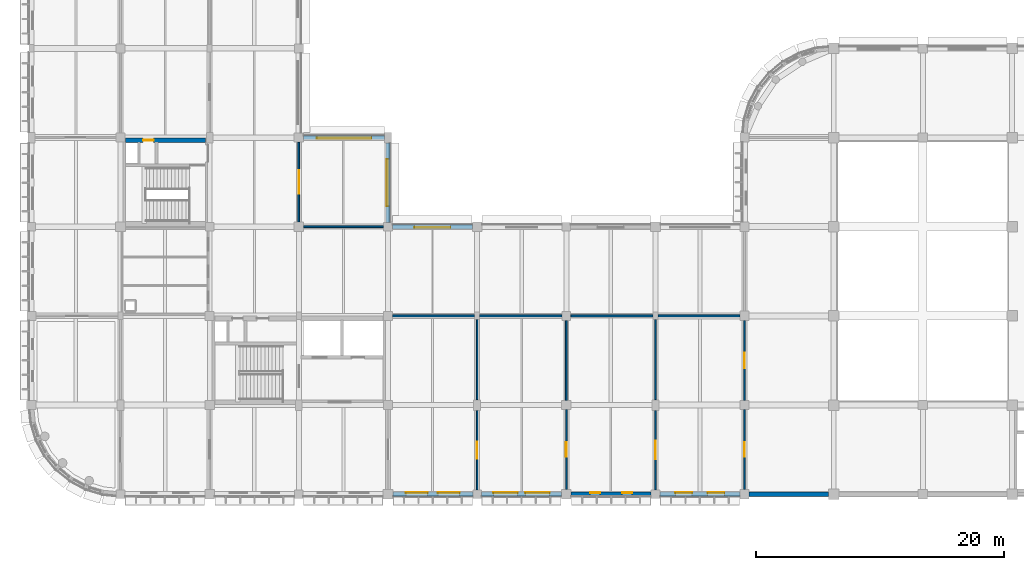
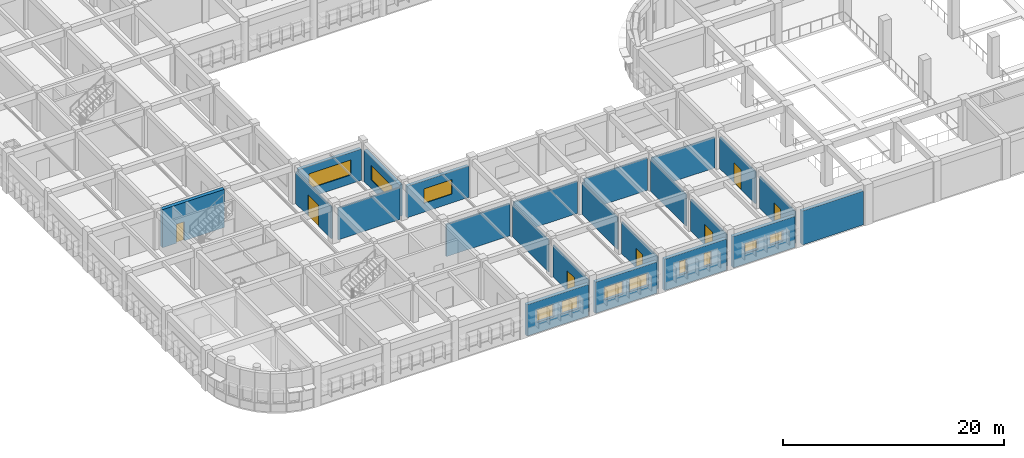
# One storey, part 36 of 61: 23 walls, 11 windows, 7 doors, 18 openings.
"""IFC4 building model written with IfcOpenShell, lengths in metres."""

from ifc_helpers import new_model, si_unit, direction, frame, frame_2d, origin, place, context, subcontext, project, spatial, rectangle, extrude, material, layer, layer_set, type_object, element, fill, save


model = new_model("IFC4")

# Units and contexts
model_context = context("Model", 3, precision=1e-05, world=origin(), true_north=direction((0.0, 1.0)))
body_context = subcontext(model_context, "Body", "Model", "MODEL_VIEW")
ifc_project = project(units=[si_unit("LENGTHUNIT", "METRE"), si_unit("AREAUNIT", "SQUARE_METRE"), si_unit("VOLUMEUNIT", "CUBIC_METRE"), si_unit("PLANEANGLEUNIT", "RADIAN"), si_unit("MASSUNIT", "GRAM", prefix="KILO")], contexts=[model_context])

# Site, building, storey
site_placement = place(None, origin())
site = spatial("IfcSite", under=ifc_project, at=site_placement, CompositionType="ELEMENT")
building_placement = place(site_placement, origin())
building = spatial("IfcBuilding", under=site, at=building_placement, Name="Thalmaran Polytechnic", CompositionType="ELEMENT")
storey_placement = place(building_placement, frame((0.0, 0.0, 9.89990234375)))
storey = spatial("IfcBuildingStorey", under=building, at=storey_placement, Name="L02", CompositionType="ELEMENT", Elevation=9.89990234375)

# Wall
ifc_material_1 = material(Name="Precast concrete C40/50", Category="concrete")
ifc_layer_1 = layer(ifc_material_1, 0.360107421875, Name="Precast concrete C40/50")
ifc_layer_set_1 = layer_set([ifc_layer_1], Name="Precast concrete C40/50")
wall_type_1 = type_object("IfcWallType", Name="WL-EW01", PredefinedType="STANDARD", material=ifc_layer_set_1)
wall_1_placement = place(storey_placement, frame((64.375, 0.0, 0.0), z_axis=(0.0, 0.0, 1.0), x_axis=(-1.0, 0.0, 0.0)))
element("IfcWall", 1, at=wall_1_placement, inside=storey, type_object=wall_type_1, Name="Exterior Precast Facade Wall L02-084", PredefinedType="STANDARD", context=body_context, shape_type="SweptSolid", body=[
    extrude(rectangle(XDim=6.39990234375, YDim=0.360107421875, at=frame_2d((3.199951171875, 0.0))), origin(), (0.0, 0.0, 1.0), 3.7451171875),
])

# Wall, openings, windows
wall_2_placement = place(storey_placement, frame((57.22509765625, 0.0, 0.0), z_axis=(0.0, 0.0, 1.0), x_axis=(-1.0, 0.0, 0.0)))
wall_2 = element("IfcWall", 2, at=wall_2_placement, inside=storey, type_object=wall_type_1, Name="Exterior Precast Facade Wall L02-085", PredefinedType="STANDARD", context=body_context, shape_type="SweptSolid", body=[
    extrude(rectangle(XDim=6.47509765625, YDim=0.360107421875, at=frame_2d((3.237548828125, 0.0))), origin(), (0.0, 0.0, 1.0), 3.460205078125),
])
opening_1_placement = place(wall_2_placement, frame((1.267578125, 0.0, 1.14990234375)))
opening_1 = element("IfcOpeningElement", 3, at=opening_1_placement, cuts=wall_2, Name="Opening PW15", PredefinedType="OPENING", context=body_context, shape_type="SweptSolid", body=[
    extrude(rectangle(XDim=1.35009765625, YDim=1.10009765625, at=frame_2d((0.675048828125, 0.550048828125))), frame((0.0, 0.18994140625, 0.0), z_axis=(0.0, -1.0, 0.0), x_axis=(1.0, 0.0, 0.0)), (0.0, 0.0, 1.0), 0.380126953125),
])
opening_2_placement = place(wall_2_placement, frame((3.857421875, 0.0, 1.14990234375)))
opening_2 = element("IfcOpeningElement", 4, at=opening_2_placement, cuts=wall_2, Name="Opening PW15", PredefinedType="OPENING", context=body_context, shape_type="SweptSolid", body=[
    extrude(rectangle(XDim=1.35009765625, YDim=1.10009765625, at=frame_2d((0.675048828125, 0.550048828125))), frame((0.0, 0.18994140625, 0.0), z_axis=(0.0, -1.0, 0.0), x_axis=(1.0, 0.0, 0.0)), (0.0, 0.0, 1.0), 0.380126953125),
])
ifc_material_2 = material(Name="Thermally broken aluminium and double low-E glass", Category="aluminium")
window_type_1 = type_object("IfcWindowType", Name="WN-PW05", PartitioningType="SINGLE_PANEL", PredefinedType="WINDOW", material=ifc_material_2)
window_1_placement = place(opening_1_placement, origin())
window_1 = element("IfcWindow", 5, at=window_1_placement, inside=storey, type_object=window_type_1, Name="Deep-Set Solar-Screened Window W-0278", OverallHeight=1.10009765625, OverallWidth=1.35009765625, PartitioningType="SINGLE_PANEL", PredefinedType="WINDOW", context=body_context, shape_type="SweptSolid", body=[
    extrude(rectangle(XDim=1.35009765625, YDim=1.10009765625, at=frame_2d((0.675048828125, 0.550048828125))), frame((0.0, -0.080078125, 0.0), z_axis=(0.0, -1.0, 0.0), x_axis=(1.0, 0.0, 0.0)), (0.0, 0.0, 1.0), 0.06005859375),
])
fill(opening_1, window_1)
window_2_placement = place(opening_2_placement, origin())
window_2 = element("IfcWindow", 6, at=window_2_placement, inside=storey, type_object=window_type_1, Name="Deep-Set Solar-Screened Window W-0279", OverallHeight=1.10009765625, OverallWidth=1.35009765625, PartitioningType="SINGLE_PANEL", PredefinedType="WINDOW", context=body_context, shape_type="SweptSolid", body=[
    extrude(rectangle(XDim=1.35009765625, YDim=1.10009765625, at=frame_2d((0.675048828125, 0.550048828125))), frame((0.0, -0.080078125, 0.0), z_axis=(0.0, -1.0, 0.0), x_axis=(1.0, 0.0, 0.0)), (0.0, 0.0, 1.0), 0.06005859375),
])
fill(opening_2, window_2)

wall_3_placement = place(storey_placement, frame((50.050048828125, 0.0, 0.0), z_axis=(0.0, 0.0, 1.0), x_axis=(-1.0, 0.0, 0.0)))
wall_3 = element("IfcWall", 7, at=wall_3_placement, inside=storey, type_object=wall_type_1, Name="Exterior Precast Facade Wall L02-086", PredefinedType="STANDARD", context=body_context, shape_type="SweptSolid", body=[
    extrude(rectangle(XDim=6.4599609375, YDim=0.360107421875, at=frame_2d((3.22998046875, 0.0))), origin(), (0.0, 0.0, 1.0), 3.460205078125),
])
opening_3_placement = place(wall_3_placement, frame((1.5380859375, 0.0, 1.14990234375)))
opening_3 = element("IfcOpeningElement", 8, at=opening_3_placement, cuts=wall_3, Name="Opening PW16", PredefinedType="OPENING", context=body_context, shape_type="SweptSolid", body=[
    extrude(rectangle(XDim=0.800048828125, YDim=1.5, at=frame_2d((0.39990234375, 0.75))), frame((0.0, 0.18994140625, 0.0), z_axis=(0.0, -1.0, 0.0), x_axis=(1.0, 0.0, 0.0)), (0.0, 0.0, 1.0), 0.380126953125),
])
opening_4_placement = place(wall_3_placement, frame((4.1220703125, 0.0, 1.14990234375)))
opening_4 = element("IfcOpeningElement", 9, at=opening_4_placement, cuts=wall_3, Name="Opening PW16", PredefinedType="OPENING", context=body_context, shape_type="SweptSolid", body=[
    extrude(rectangle(XDim=0.800048828125, YDim=1.5, at=frame_2d((0.39990234375, 0.75))), frame((0.0, 0.18994140625, 0.0), z_axis=(0.0, -1.0, 0.0), x_axis=(1.0, 0.0, 0.0)), (0.0, 0.0, 1.0), 0.380126953125),
])
window_type_2 = type_object("IfcWindowType", Name="WN-PW06", PartitioningType="SINGLE_PANEL", PredefinedType="WINDOW", material=ifc_material_2)
window_3_placement = place(opening_3_placement, origin())
window_3 = element("IfcWindow", 10, at=window_3_placement, inside=storey, type_object=window_type_2, Name="Deep-Set Solar-Screened Window W-0280", OverallHeight=1.5, OverallWidth=0.800048828125, PartitioningType="SINGLE_PANEL", PredefinedType="WINDOW", context=body_context, shape_type="SweptSolid", body=[
    extrude(rectangle(XDim=0.800048828125, YDim=1.5, at=frame_2d((0.39990234375, 0.75))), frame((0.0, -0.080078125, 0.0), z_axis=(0.0, -1.0, 0.0), x_axis=(1.0, 0.0, 0.0)), (0.0, 0.0, 1.0), 0.06005859375),
])
fill(opening_3, window_3)
window_4_placement = place(opening_4_placement, origin())
window_4 = element("IfcWindow", 11, at=window_4_placement, inside=storey, type_object=window_type_2, Name="Deep-Set Solar-Screened Window W-0281", OverallHeight=1.5, OverallWidth=0.800048828125, PartitioningType="SINGLE_PANEL", PredefinedType="WINDOW", context=body_context, shape_type="SweptSolid", body=[
    extrude(rectangle(XDim=0.800048828125, YDim=1.5, at=frame_2d((0.39990234375, 0.75))), frame((0.0, -0.080078125, 0.0), z_axis=(0.0, -1.0, 0.0), x_axis=(1.0, 0.0, 0.0)), (0.0, 0.0, 1.0), 0.06005859375),
])
fill(opening_4, window_4)

wall_4_placement = place(storey_placement, frame((42.81005859375, 0.0, 0.0), z_axis=(0.0, 0.0, 1.0), x_axis=(-1.0, 0.0, 0.0)))
wall_4 = element("IfcWall", 12, at=wall_4_placement, inside=storey, type_object=wall_type_1, Name="Exterior Precast Facade Wall L02-087", PredefinedType="STANDARD", context=body_context, shape_type="SweptSolid", body=[
    extrude(rectangle(XDim=6.4599609375, YDim=0.360107421875, at=frame_2d((3.22998046875, 0.0))), origin(), (0.0, 0.0, 1.0), 3.460205078125),
])
opening_5_placement = place(wall_4_placement, frame((0.962890625, 0.0, 1.14990234375)))
opening_5 = element("IfcOpeningElement", 13, at=opening_5_placement, cuts=wall_4, Name="Opening VW07", PredefinedType="OPENING", context=body_context, shape_type="SweptSolid", body=[
    extrude(rectangle(XDim=1.949951171875, YDim=1.39990234375, at=frame_2d((0.97509765625, 0.699951171875))), frame((0.0, 0.18994140625, 0.0), z_axis=(0.0, -1.0, 0.0), x_axis=(1.0, 0.0, 0.0)), (0.0, 0.0, 1.0), 0.380126953125),
])
opening_6_placement = place(wall_4_placement, frame((3.547119140625, 0.0, 1.14990234375)))
opening_6 = element("IfcOpeningElement", 14, at=opening_6_placement, cuts=wall_4, Name="Opening VW07", PredefinedType="OPENING", context=body_context, shape_type="SweptSolid", body=[
    extrude(rectangle(XDim=1.949951171875, YDim=1.39990234375, at=frame_2d((0.97509765625, 0.699951171875))), frame((0.0, 0.18994140625, 0.0), z_axis=(0.0, -1.0, 0.0), x_axis=(1.0, 0.0, 0.0)), (0.0, 0.0, 1.0), 0.380126953125),
])
window_type_3 = type_object("IfcWindowType", Name="WN-VZ07", PartitioningType="SINGLE_PANEL", PredefinedType="WINDOW", material=ifc_material_2)
window_5_placement = place(opening_5_placement, origin())
window_5 = element("IfcWindow", 15, at=window_5_placement, inside=storey, type_object=window_type_3, Name="Deep-Set Solar-Screened Window W-0282", OverallHeight=1.39990234375, OverallWidth=1.949951171875, PartitioningType="SINGLE_PANEL", PredefinedType="WINDOW", context=body_context, shape_type="SweptSolid", body=[
    extrude(rectangle(XDim=1.949951171875, YDim=1.39990234375, at=frame_2d((0.97509765625, 0.699951171875))), frame((0.0, -0.080078125, 0.0), z_axis=(0.0, -1.0, 0.0), x_axis=(1.0, 0.0, 0.0)), (0.0, 0.0, 1.0), 0.06005859375),
])
fill(opening_5, window_5)
window_6_placement = place(opening_6_placement, origin())
window_6 = element("IfcWindow", 16, at=window_6_placement, inside=storey, type_object=window_type_3, Name="Deep-Set Solar-Screened Window W-0283", OverallHeight=1.39990234375, OverallWidth=1.949951171875, PartitioningType="SINGLE_PANEL", PredefinedType="WINDOW", context=body_context, shape_type="SweptSolid", body=[
    extrude(rectangle(XDim=1.949951171875, YDim=1.39990234375, at=frame_2d((0.97509765625, 0.699951171875))), frame((0.0, -0.080078125, 0.0), z_axis=(0.0, -1.0, 0.0), x_axis=(1.0, 0.0, 0.0)), (0.0, 0.0, 1.0), 0.06005859375),
])
fill(opening_6, window_6)

wall_5_placement = place(storey_placement, frame((35.64990234375, 0.0, 0.0), z_axis=(0.0, 0.0, 1.0), x_axis=(-1.0, 0.0, 0.0)))
wall_5 = element("IfcWall", 17, at=wall_5_placement, inside=storey, type_object=wall_type_1, Name="Exterior Precast Facade Wall L02-088", PredefinedType="STANDARD", context=body_context, shape_type="SweptSolid", body=[
    extrude(rectangle(XDim=6.4599609375, YDim=0.360107421875, at=frame_2d((3.22998046875, 0.0))), origin(), (0.0, 0.0, 1.0), 3.47021484375),
])
opening_7_placement = place(wall_5_placement, frame((1.06298828125, 0.0, 1.14990234375)))
opening_7 = element("IfcOpeningElement", 18, at=opening_7_placement, cuts=wall_5, Name="Opening VW08", PredefinedType="OPENING", context=body_context, shape_type="SweptSolid", body=[
    extrude(rectangle(XDim=1.75, YDim=1.39990234375, at=frame_2d((0.875, 0.699951171875))), frame((0.0, 0.18994140625, 0.0), z_axis=(0.0, -1.0, 0.0), x_axis=(1.0, 0.0, 0.0)), (0.0, 0.0, 1.0), 0.380126953125),
])
opening_8_placement = place(wall_5_placement, frame((3.64697265625, 0.0, 1.14990234375)))
opening_8 = element("IfcOpeningElement", 19, at=opening_8_placement, cuts=wall_5, Name="Opening VW08", PredefinedType="OPENING", context=body_context, shape_type="SweptSolid", body=[
    extrude(rectangle(XDim=1.75, YDim=1.39990234375, at=frame_2d((0.875, 0.699951171875))), frame((0.0, 0.18994140625, 0.0), z_axis=(0.0, -1.0, 0.0), x_axis=(1.0, 0.0, 0.0)), (0.0, 0.0, 1.0), 0.380126953125),
])
window_type_4 = type_object("IfcWindowType", Name="WN-VZ08", PartitioningType="SINGLE_PANEL", PredefinedType="WINDOW", material=ifc_material_2)
window_7_placement = place(opening_7_placement, origin())
window_7 = element("IfcWindow", 20, at=window_7_placement, inside=storey, type_object=window_type_4, Name="Deep-Set Solar-Screened Window W-0284", OverallHeight=1.39990234375, OverallWidth=1.75, PartitioningType="SINGLE_PANEL", PredefinedType="WINDOW", context=body_context, shape_type="SweptSolid", body=[
    extrude(rectangle(XDim=1.75, YDim=1.39990234375, at=frame_2d((0.875, 0.699951171875))), frame((0.0, -0.080078125, 0.0), z_axis=(0.0, -1.0, 0.0), x_axis=(1.0, 0.0, 0.0)), (0.0, 0.0, 1.0), 0.06005859375),
])
fill(opening_7, window_7)
window_8_placement = place(opening_8_placement, origin())
window_8 = element("IfcWindow", 21, at=window_8_placement, inside=storey, type_object=window_type_4, Name="Deep-Set Solar-Screened Window W-0285", OverallHeight=1.39990234375, OverallWidth=1.75, PartitioningType="SINGLE_PANEL", PredefinedType="WINDOW", context=body_context, shape_type="SweptSolid", body=[
    extrude(rectangle(XDim=1.75, YDim=1.39990234375, at=frame_2d((0.875, 0.699951171875))), frame((0.0, -0.080078125, 0.0), z_axis=(0.0, -1.0, 0.0), x_axis=(1.0, 0.0, 0.0)), (0.0, 0.0, 1.0), 0.06005859375),
])
fill(opening_8, window_8)

# Wall, opening, window
ifc_layer_2 = layer(ifc_material_1, 0.330078125, Name="Precast concrete C40/50")
ifc_layer_set_2 = layer_set([ifc_layer_2], Name="Precast concrete C40/50")
wall_type_2 = type_object("IfcWallType", Name="WL-EW02", PredefinedType="STANDARD", material=ifc_layer_set_2)
wall_6_placement = place(storey_placement, frame((21.97509765625, 28.800048828125, 0.0), z_axis=(0.0, 0.0, 1.0), x_axis=(1.0, 0.0, 0.0)))
wall_6 = element("IfcWall", 22, at=wall_6_placement, inside=storey, type_object=wall_type_2, Name="Exterior Precast Facade Wall L02-132", PredefinedType="STANDARD", context=body_context, shape_type="SweptSolid", body=[
    extrude(rectangle(XDim=6.5498046875, YDim=0.330078125, at=frame_2d((3.27490234375, 0.0))), origin(), (0.0, 0.0, 1.0), 3.47021484375),
])
opening_9_placement = place(wall_6_placement, frame((1.074951171875, 0.0, 0.97998046875)))
opening_9 = element("IfcOpeningElement", 23, at=opening_9_placement, cuts=wall_6, Name="Opening VW16", PredefinedType="OPENING", context=body_context, shape_type="SweptSolid", body=[
    extrude(rectangle(XDim=4.39990234375, YDim=1.64990234375, at=frame_2d((2.199951171875, 0.824951171875))), frame((0.0, 0.175048828125, 0.0), z_axis=(0.0, -1.0, 0.0), x_axis=(1.0, 0.0, 0.0)), (0.0, 0.0, 1.0), 0.35009765625),
])
window_type_5 = type_object("IfcWindowType", Name="WN-VZ16", PartitioningType="TRIPLE_PANEL_HORIZONTAL", PredefinedType="WINDOW", material=ifc_material_2)
window_9_placement = place(opening_9_placement, origin())
window_9 = element("IfcWindow", 24, at=window_9_placement, inside=storey, type_object=window_type_5, Name="Streamline Ribbon Window W-0346", OverallHeight=1.64990234375, OverallWidth=4.39990234375, PartitioningType="SINGLE_PANEL", PredefinedType="WINDOW", context=body_context, shape_type="SweptSolid", body=[
    extrude(rectangle(XDim=4.39990234375, YDim=1.64990234375, at=frame_2d((2.199951171875, 0.824951171875))), frame((0.0, -0.030029296875, 0.0), z_axis=(0.0, -1.0, 0.0), x_axis=(1.0, 0.0, 0.0)), (0.0, 0.0, 1.0), 0.06005859375),
])
fill(opening_9, window_9)

wall_7_placement = place(storey_placement, frame((28.800048828125, 28.375, 0.0), z_axis=(0.0, 0.0, 1.0), x_axis=(0.0, -1.0, 0.0)))
wall_7 = element("IfcWall", 25, at=wall_7_placement, inside=storey, type_object=wall_type_2, Name="Exterior Precast Facade Wall L02-133", PredefinedType="STANDARD", context=body_context, shape_type="SweptSolid", body=[
    extrude(rectangle(XDim=6.425048828125, YDim=0.330078125, at=frame_2d((3.21240234375, 0.0))), origin(), (0.0, 0.0, 1.0), 3.47021484375),
])
opening_10_placement = place(wall_7_placement, frame((1.3125, 0.0, 0.97998046875)))
opening_10 = element("IfcOpeningElement", 26, at=opening_10_placement, cuts=wall_7, Name="Opening VW17", PredefinedType="OPENING", context=body_context, shape_type="SweptSolid", body=[
    extrude(rectangle(XDim=3.800048828125, YDim=1.60009765625, at=frame_2d((1.89990234375, 0.800048828125))), frame((0.0, 0.175048828125, 0.0), z_axis=(0.0, -1.0, 0.0), x_axis=(1.0, 0.0, 0.0)), (0.0, 0.0, 1.0), 0.35009765625),
])
window_type_6 = type_object("IfcWindowType", Name="WN-VZ17", PartitioningType="DOUBLE_PANEL_VERTICAL", PredefinedType="WINDOW", material=ifc_material_2)
window_10_placement = place(opening_10_placement, origin())
window_10 = element("IfcWindow", 27, at=window_10_placement, inside=storey, type_object=window_type_6, Name="Streamline Ribbon Window W-0347", OverallHeight=1.60009765625, OverallWidth=3.800048828125, PartitioningType="SINGLE_PANEL", PredefinedType="WINDOW", context=body_context, shape_type="SweptSolid", body=[
    extrude(rectangle(XDim=3.800048828125, YDim=1.60009765625, at=frame_2d((1.89990234375, 0.800048828125))), frame((0.0, -0.030029296875, 0.0), z_axis=(0.0, -1.0, 0.0), x_axis=(1.0, 0.0, 0.0)), (0.0, 0.0, 1.0), 0.06005859375),
])
fill(opening_10, window_10)

wall_8_placement = place(storey_placement, frame((29.14990234375, 21.60009765625, 0.0), z_axis=(0.0, 0.0, 1.0), x_axis=(1.0, 0.0, 0.0)))
wall_8 = element("IfcWall", 28, at=wall_8_placement, inside=storey, type_object=wall_type_2, Name="Exterior Precast Facade Wall L02-134", PredefinedType="STANDARD", context=body_context, shape_type="SweptSolid", body=[
    extrude(rectangle(XDim=6.460205078125, YDim=0.330078125, at=frame_2d((3.22998046875, 0.0))), origin(), (0.0, 0.0, 1.0), 3.47021484375),
])
opening_11_placement = place(wall_8_placement, frame((1.780029296875, 0.0, 0.97998046875)))
opening_11 = element("IfcOpeningElement", 29, at=opening_11_placement, cuts=wall_8, Name="Opening VW18", PredefinedType="OPENING", context=body_context, shape_type="SweptSolid", body=[
    extrude(rectangle(XDim=2.89990234375, YDim=1.60009765625, at=frame_2d((1.449951171875, 0.800048828125))), frame((0.0, 0.175048828125, 0.0), z_axis=(0.0, -1.0, 0.0), x_axis=(1.0, 0.0, 0.0)), (0.0, 0.0, 1.0), 0.35009765625),
])
window_type_7 = type_object("IfcWindowType", Name="WN-VZ18", PartitioningType="DOUBLE_PANEL_VERTICAL", PredefinedType="WINDOW", material=ifc_material_2)
window_11_placement = place(opening_11_placement, origin())
window_11 = element("IfcWindow", 30, at=window_11_placement, inside=storey, type_object=window_type_7, Name="Streamline Ribbon Window W-0348", OverallHeight=1.60009765625, OverallWidth=2.89990234375, PartitioningType="SINGLE_PANEL", PredefinedType="WINDOW", context=body_context, shape_type="SweptSolid", body=[
    extrude(rectangle(XDim=2.89990234375, YDim=1.60009765625, at=frame_2d((1.449951171875, 0.800048828125))), frame((0.0, -0.030029296875, 0.0), z_axis=(0.0, -1.0, 0.0), x_axis=(1.0, 0.0, 0.0)), (0.0, 0.0, 1.0), 0.06005859375),
])
fill(opening_11, window_11)

# Wall, opening, door
ifc_material_3 = material(Name="Gypsum acoustic partition")
ifc_layer_3 = layer(ifc_material_3, 0.14501953125, Name="Gypsum acoustic partition")
ifc_layer_set_3 = layer_set([ifc_layer_3], Name="Gypsum acoustic partition")
wall_type_3 = type_object("IfcWallType", Name="WL-IW06", PredefinedType="PARTITIONING", material=ifc_layer_set_3)
wall_9_placement = place(storey_placement, frame((21.60009765625, 21.9951171875, 0.0), z_axis=(0.0, 0.0, 1.0), x_axis=(0.0, 1.0, 0.0)))
wall_9 = element("IfcWall", 31, at=wall_9_placement, inside=storey, type_object=wall_type_3, Name="Interior Partition IW06 L02-032", PredefinedType="PARTITIONING", context=body_context, shape_type="SweptSolid", body=[
    extrude(rectangle(XDim=6.4248046875, YDim=0.14501953125, at=frame_2d((3.21240234375, 0.0))), origin(), (0.0, 0.0, 1.0), 3.530029296875),
])
opening_12_placement = place(wall_9_placement, frame((2.25244140625, 0.0, 0.0)))
opening_12 = element("IfcOpeningElement", 32, at=opening_12_placement, cuts=wall_9, Name="Opening D-L02-008-1-11-1", PredefinedType="OPENING", context=body_context, shape_type="SweptSolid", body=[
    extrude(rectangle(XDim=1.919921875, YDim=2.35009765625, at=frame_2d((0.9599609375, 1.175048828125))), frame((0.0, 0.08251953125, 0.0), z_axis=(0.0, -1.0, 0.0), x_axis=(1.0, 0.0, 0.0)), (0.0, 0.0, 1.0), 0.1650390625),
])
ifc_material_4 = material(Name="Acoustic hardwood and vision glass", Category="wood")
door_type_1 = type_object("IfcDoorType", Name="DR-ZD01", OperationType="NOTDEFINED", PredefinedType="DOOR", material=ifc_material_4)
door_1_placement = place(opening_12_placement, origin())
door_1 = element("IfcDoor", 33, at=door_1_placement, inside=storey, type_object=door_type_1, Name="Seminar Room L02-11 Door 1", OperationType="SINGLE_SWING_LEFT", OverallHeight=2.35009765625, OverallWidth=1.919921875, PredefinedType="DOOR", context=body_context, shape_type="SweptSolid", body=[
    extrude(rectangle(XDim=1.919921875, YDim=2.35009765625, at=frame_2d((0.9599609375, 1.175048828125))), frame((0.0, 0.02490234375, 0.0), z_axis=(0.0, -1.0, 0.0), x_axis=(1.0, 0.0, 0.0)), (0.0, 0.0, 1.0), 0.050048828125),
])
fill(opening_12, door_1)

# Walls
wall_10_placement = place(storey_placement, frame((21.9951171875, 21.60009765625, 0.0), z_axis=(0.0, 0.0, 1.0), x_axis=(1.0, 0.0, 0.0)))
element("IfcWall", 34, at=wall_10_placement, inside=storey, type_object=wall_type_3, Name="Interior Partition IW06 L02-039", PredefinedType="PARTITIONING", context=body_context, shape_type="SweptSolid", body=[
    extrude(rectangle(XDim=6.449951171875, YDim=0.14501953125, at=frame_2d((3.22509765625, 0.0))), origin(), (0.0, 0.0, 1.0), 3.525146484375),
])
for number, where, z_axis, x_axis, name in (
    (35, (29.1650390625, 14.39990234375, 0.0), (0.0, 0.0, 1.0), (1.0, 0.0, 0.0), "Interior Partition IW06 L02-047"),
    (36, (36.205078125, 14.39990234375, 0.0), (0.0, 0.0, 1.0), (1.0, 0.0, 0.0), "Interior Partition IW06 L02-053"),
):
    element("IfcWall", number, at=place(storey_placement, frame(where, z_axis=z_axis, x_axis=x_axis)), inside=storey, type_object=wall_type_3, Name=name, PredefinedType="PARTITIONING", context=body_context, shape_type="SweptSolid", body=[
        extrude(rectangle(XDim=6.6298828125, YDim=0.14501953125, at=frame_2d((3.31494140625, 0.0))), origin(), (0.0, 0.0, 1.0), 3.565185546875),
    ])
wall_11_placement = place(storey_placement, frame((43.56494140625, 14.39990234375, 0.0), z_axis=(0.0, 0.0, 1.0), x_axis=(1.0, 0.0, 0.0)))
element("IfcWall", 37, at=wall_11_placement, inside=storey, type_object=wall_type_3, Name="Interior Partition IW06 L02-060", PredefinedType="PARTITIONING", context=body_context, shape_type="SweptSolid", body=[
    extrude(rectangle(XDim=6.630126953125, YDim=0.14501953125, at=frame_2d((3.31494140625, 0.0))), origin(), (0.0, 0.0, 1.0), 3.5751953125),
])
wall_12_placement = place(storey_placement, frame((50.60498046875, 14.39990234375, 0.0), z_axis=(0.0, 0.0, 1.0), x_axis=(1.0, 0.0, 0.0)))
element("IfcWall", 38, at=wall_12_placement, inside=storey, type_object=wall_type_3, Name="Interior Partition IW06 L02-069", PredefinedType="PARTITIONING", context=body_context, shape_type="SweptSolid", body=[
    extrude(rectangle(XDim=6.614990234375, YDim=0.14501953125, at=frame_2d((3.3076171875, 0.0))), origin(), (0.0, 0.0, 1.0), 3.4150390625),
])
ifc_layer_4 = layer(ifc_material_3, 0.1298828125, Name="Gypsum acoustic partition")
ifc_layer_set_4 = layer_set([ifc_layer_4], Name="Gypsum acoustic partition")
wall_type_4 = type_object("IfcWallType", Name="WL-IW07", PredefinedType="PARTITIONING", material=ifc_layer_set_4)
wall_13_placement = place(storey_placement, frame((36.0, 7.6298828125, 0.0), z_axis=(0.0, 0.0, 1.0), x_axis=(0.0, 1.0, 0.0)))
element("IfcWall", 39, at=wall_13_placement, inside=storey, type_object=wall_type_4, Name="Interior Partition IW07 L02-046", PredefinedType="PARTITIONING", context=body_context, shape_type="SweptSolid", body=[
    extrude(rectangle(XDim=6.465087890625, YDim=0.1298828125, at=frame_2d((3.232421875, 0.0))), origin(), (0.0, 0.0, 1.0), 3.525146484375),
])
wall_14_placement = place(storey_placement, frame((43.199951171875, 7.580078125, 0.0), z_axis=(0.0, 0.0, 1.0), x_axis=(0.0, 1.0, 0.0)))
element("IfcWall", 40, at=wall_14_placement, inside=storey, type_object=wall_type_4, Name="Interior Partition IW07 L02-052", PredefinedType="PARTITIONING", context=body_context, shape_type="SweptSolid", body=[
    extrude(rectangle(XDim=6.454833984375, YDim=0.1298828125, at=frame_2d((3.2275390625, 0.0))), origin(), (0.0, 0.0, 1.0), 3.525146484375),
])

# Wall, opening, door
wall_15_placement = place(storey_placement, frame((50.39990234375, 0.35498046875, 0.0), z_axis=(0.0, 0.0, 1.0), x_axis=(0.0, 1.0, 0.0)))
wall_15 = element("IfcWall", 41, at=wall_15_placement, inside=storey, type_object=wall_type_4, Name="Interior Partition IW07 L02-058", PredefinedType="PARTITIONING", context=body_context, shape_type="SweptSolid", body=[
    extrude(rectangle(XDim=6.4150390625, YDim=0.1298828125, at=frame_2d((3.20751953125, 0.0))), origin(), (0.0, 0.0, 1.0), 3.530029296875),
])
opening_13_placement = place(wall_15_placement, frame((2.467529296875, 0.0, 0.0)))
opening_13 = element("IfcOpeningElement", 42, at=opening_13_placement, cuts=wall_15, Name="Opening D-L02-013-1-16-1", PredefinedType="OPENING", context=body_context, shape_type="SweptSolid", body=[
    extrude(rectangle(XDim=1.47998046875, YDim=2.280029296875, at=frame_2d((0.739990234375, 1.14013671875))), frame((0.0, 0.074951171875, 0.0), z_axis=(0.0, -1.0, 0.0), x_axis=(1.0, 0.0, 0.0)), (0.0, 0.0, 1.0), 0.14990234375),
])
ifc_material_5 = material(Name="Powder-coated fire-rated steel", Category="steel")
door_type_2 = type_object("IfcDoorType", Name="DR-ZD09", OperationType="NOTDEFINED", PredefinedType="DOOR", material=ifc_material_5)
door_2_placement = place(opening_13_placement, origin())
door_2 = element("IfcDoor", 43, at=door_2_placement, inside=storey, type_object=door_type_2, Name="Fluid Mechanics Laboratory L02-16 Door 1", OperationType="SINGLE_SWING_RIGHT", OverallHeight=2.280029296875, OverallWidth=1.47998046875, PredefinedType="DOOR", context=body_context, shape_type="SweptSolid", body=[
    extrude(rectangle(XDim=1.47998046875, YDim=2.280029296875, at=frame_2d((0.739990234375, 1.14013671875))), frame((0.0, 0.02490234375, 0.0), z_axis=(0.0, -1.0, 0.0), x_axis=(1.0, 0.0, 0.0)), (0.0, 0.0, 1.0), 0.050048828125),
])
fill(opening_13, door_2)

wall_16_placement = place(storey_placement, frame((57.60009765625, 7.580078125, 0.0), z_axis=(0.0, 0.0, 1.0), x_axis=(0.0, 1.0, 0.0)))
wall_16 = element("IfcWall", 44, at=wall_16_placement, inside=storey, type_object=wall_type_4, Name="Interior Partition IW07 L02-068", PredefinedType="PARTITIONING", context=body_context, shape_type="SweptSolid", body=[
    extrude(rectangle(XDim=6.43994140625, YDim=0.1298828125, at=frame_2d((3.219970703125, 0.0))), origin(), (0.0, 0.0, 1.0), 3.525146484375),
])
opening_14_placement = place(wall_16_placement, frame((2.580078125, 0.0, 0.0)))
opening_14 = element("IfcOpeningElement", 45, at=opening_14_placement, cuts=wall_16, Name="Opening D-L02-031-3-01-2", PredefinedType="OPENING", context=body_context, shape_type="SweptSolid", body=[
    extrude(rectangle(XDim=1.280029296875, YDim=2.239990234375, at=frame_2d((0.64013671875, 1.1201171875))), frame((0.0, 0.074951171875, 0.0), z_axis=(0.0, -1.0, 0.0), x_axis=(1.0, 0.0, 0.0)), (0.0, 0.0, 1.0), 0.14990234375),
])
door_type_3 = type_object("IfcDoorType", Name="DR-ZD10", OperationType="NOTDEFINED", PredefinedType="DOOR", material=ifc_material_5)
door_3_placement = place(opening_14_placement, origin())
door_3 = element("IfcDoor", 46, at=door_3_placement, inside=storey, type_object=door_type_3, Name="Seminar Room L02-01 Door 2", OperationType="SINGLE_SWING_RIGHT", OverallHeight=2.239990234375, OverallWidth=1.280029296875, PredefinedType="DOOR", context=body_context, shape_type="SweptSolid", body=[
    extrude(rectangle(XDim=1.280029296875, YDim=2.239990234375, at=frame_2d((0.64013671875, 1.1201171875))), frame((0.0, 0.02490234375, 0.0), z_axis=(0.0, -1.0, 0.0), x_axis=(1.0, 0.0, 0.0)), (0.0, 0.0, 1.0), 0.050048828125),
])
fill(opening_14, door_3)

ifc_layer_5 = layer(ifc_material_3, 0.114990234375, Name="Gypsum acoustic partition")
ifc_layer_set_5 = layer_set([ifc_layer_5], Name="Gypsum acoustic partition")
wall_type_5 = type_object("IfcWallType", Name="WL-IW08", PredefinedType="PARTITIONING", material=ifc_layer_set_5)
wall_17_placement = place(storey_placement, frame((36.0, 0.35498046875, 0.0), z_axis=(0.0, 0.0, 1.0), x_axis=(0.0, 1.0, 0.0)))
wall_17 = element("IfcWall", 47, at=wall_17_placement, inside=storey, type_object=wall_type_5, Name="Interior Partition IW08 L02-045", PredefinedType="PARTITIONING", context=body_context, shape_type="SweptSolid", body=[
    extrude(rectangle(XDim=6.4150390625, YDim=0.114990234375, at=frame_2d((3.20751953125, 0.0))), origin(), (0.0, 0.0, 1.0), 3.530029296875),
])
opening_15_placement = place(wall_17_placement, frame((2.517578125, 0.0, 0.0)))
opening_15 = element("IfcOpeningElement", 48, at=opening_15_placement, cuts=wall_17, Name="Opening D-L02-011-1-14-1", PredefinedType="OPENING", context=body_context, shape_type="SweptSolid", body=[
    extrude(rectangle(XDim=1.3798828125, YDim=2.219970703125, at=frame_2d((0.68994140625, 1.10986328125))), frame((0.0, 0.0673828125, 0.0), z_axis=(0.0, -1.0, 0.0), x_axis=(1.0, 0.0, 0.0)), (0.0, 0.0, 1.0), 0.135009765625),
])
door_type_4 = type_object("IfcDoorType", Name="DR-ZD04", OperationType="NOTDEFINED", PredefinedType="DOOR", material=ifc_material_4)
door_4_placement = place(opening_15_placement, origin())
door_4 = element("IfcDoor", 49, at=door_4_placement, inside=storey, type_object=door_type_4, Name="Environmental Engineering Laboratory L02-14 Door 1", OperationType="SINGLE_SWING_RIGHT", OverallHeight=2.219970703125, OverallWidth=1.3798828125, PredefinedType="DOOR", context=body_context, shape_type="SweptSolid", body=[
    extrude(rectangle(XDim=1.3798828125, YDim=2.219970703125, at=frame_2d((0.68994140625, 1.10986328125))), frame((0.0, 0.02490234375, 0.0), z_axis=(0.0, -1.0, 0.0), x_axis=(1.0, 0.0, 0.0)), (0.0, 0.0, 1.0), 0.050048828125),
])
fill(opening_15, door_4)

wall_18_placement = place(storey_placement, frame((43.199951171875, 0.39501953125, 0.0), z_axis=(0.0, 0.0, 1.0), x_axis=(0.0, 1.0, 0.0)))
wall_18 = element("IfcWall", 50, at=wall_18_placement, inside=storey, type_object=wall_type_5, Name="Interior Partition IW08 L02-051", PredefinedType="PARTITIONING", context=body_context, shape_type="SweptSolid", body=[
    extrude(rectangle(XDim=6.425048828125, YDim=0.114990234375, at=frame_2d((3.21240234375, 0.0))), origin(), (0.0, 0.0, 1.0), 3.530029296875),
])
opening_16_placement = place(wall_18_placement, frame((2.62255859375, 0.0, 0.0)))
opening_16 = element("IfcOpeningElement", 51, at=opening_16_placement, cuts=wall_18, Name="Opening D-L02-012-1-15-1", PredefinedType="OPENING", context=body_context, shape_type="SweptSolid", body=[
    extrude(rectangle(XDim=1.179931640625, YDim=2.179931640625, at=frame_2d((0.58984375, 1.08984375))), frame((0.0, 0.0673828125, 0.0), z_axis=(0.0, -1.0, 0.0), x_axis=(1.0, 0.0, 0.0)), (0.0, 0.0, 1.0), 0.135009765625),
])
ifc_material_6 = material(Name="Acoustic hardwood", Category="wood")
door_type_5 = type_object("IfcDoorType", Name="DR-ZD05", OperationType="NOTDEFINED", PredefinedType="DOOR", material=ifc_material_6)
door_5_placement = place(opening_16_placement, origin())
door_5 = element("IfcDoor", 52, at=door_5_placement, inside=storey, type_object=door_type_5, Name="Academic Department Suite L02-15 Door 1", OperationType="SINGLE_SWING_LEFT", OverallHeight=2.179931640625, OverallWidth=1.179931640625, PredefinedType="DOOR", context=body_context, shape_type="SweptSolid", body=[
    extrude(rectangle(XDim=1.179931640625, YDim=2.179931640625, at=frame_2d((0.58984375, 1.08984375))), frame((0.0, 0.02490234375, 0.0), z_axis=(0.0, -1.0, 0.0), x_axis=(1.0, 0.0, 0.0)), (0.0, 0.0, 1.0), 0.050048828125),
])
fill(opening_16, door_5)

# Wall
wall_19_placement = place(storey_placement, frame((50.39990234375, 7.6298828125, 0.0), z_axis=(0.0, 0.0, 1.0), x_axis=(0.0, 1.0, 0.0)))
element("IfcWall", 53, at=wall_19_placement, inside=storey, type_object=wall_type_5, Name="Interior Partition IW08 L02-059", PredefinedType="PARTITIONING", context=body_context, shape_type="SweptSolid", body=[
    extrude(rectangle(XDim=6.465087890625, YDim=0.114990234375, at=frame_2d((3.232421875, 0.0))), origin(), (0.0, 0.0, 1.0), 3.525146484375),
])

# Wall, opening, door
wall_20_placement = place(storey_placement, frame((57.60009765625, 0.3798828125, 0.0), z_axis=(0.0, 0.0, 1.0), x_axis=(0.0, 1.0, 0.0)))
wall_20 = element("IfcWall", 54, at=wall_20_placement, inside=storey, type_object=wall_type_5, Name="Interior Partition IW08 L02-067", PredefinedType="PARTITIONING", context=body_context, shape_type="SweptSolid", body=[
    extrude(rectangle(XDim=6.440185546875, YDim=0.114990234375, at=frame_2d((3.22021484375, 0.0))), origin(), (0.0, 0.0, 1.0), 3.530029296875),
])
opening_17_placement = place(wall_20_placement, frame((2.6298828125, 0.0, 0.0)))
opening_17 = element("IfcOpeningElement", 55, at=opening_17_placement, cuts=wall_20, Name="Opening D-L02-030-3-01-1", PredefinedType="OPENING", context=body_context, shape_type="SweptSolid", body=[
    extrude(rectangle(XDim=1.179931640625, YDim=2.179931640625, at=frame_2d((0.58984375, 1.08984375))), frame((0.0, 0.0673828125, 0.0), z_axis=(0.0, -1.0, 0.0), x_axis=(1.0, 0.0, 0.0)), (0.0, 0.0, 1.0), 0.135009765625),
])
door_6_placement = place(opening_17_placement, origin())
door_6 = element("IfcDoor", 56, at=door_6_placement, inside=storey, type_object=door_type_5, Name="Seminar Room L02-01 Door 1", OperationType="SINGLE_SWING_LEFT", OverallHeight=2.179931640625, OverallWidth=1.179931640625, PredefinedType="DOOR", context=body_context, shape_type="SweptSolid", body=[
    extrude(rectangle(XDim=1.179931640625, YDim=2.179931640625, at=frame_2d((0.58984375, 1.08984375))), frame((0.0, 0.02490234375, 0.0), z_axis=(0.0, -1.0, 0.0), x_axis=(1.0, 0.0, 0.0)), (0.0, 0.0, 1.0), 0.050048828125),
])
fill(opening_17, door_6)

ifc_material_7 = material(Name="Concrete C50/60", Category="concrete")
ifc_layer_6 = layer(ifc_material_7, 0.3798828125, Name="Concrete C50/60")
ifc_layer_set_6 = layer_set([ifc_layer_6], Name="Concrete C50/60")
wall_type_6 = type_object("IfcWallType", Name="WL-SW02", PredefinedType="SHEAR", material=ifc_layer_set_6)
wall_21_placement = place(storey_placement, frame((7.610107421875, 28.580078125, 0.0), z_axis=(0.0, 0.0, 1.0), x_axis=(1.0, 0.0, 0.0)))
wall_21 = element("IfcWall", 57, at=wall_21_placement, inside=storey, type_object=wall_type_6, Name="Core C3 North Shear Wall L02", PredefinedType="SHEAR", context=body_context, shape_type="SweptSolid", body=[
    extrude(rectangle(XDim=6.4599609375, YDim=0.3798828125, at=frame_2d((3.22998046875, 0.0))), origin(), (0.0, 0.0, 1.0), 4.22509765625),
])
opening_18_placement = place(wall_21_placement, frame((1.419921875, 0.0, 0.0)))
opening_18 = element("IfcOpeningElement", 58, at=opening_18_placement, cuts=wall_21, Name="Opening DR-C3-L02-R", PredefinedType="OPENING", context=body_context, shape_type="SweptSolid", body=[
    extrude(rectangle(XDim=0.85009765625, YDim=2.10009765625, at=frame_2d((0.425048828125, 1.050048828125))), frame((0.0, 0.199951171875, 0.0), z_axis=(0.0, -1.0, 0.0), x_axis=(1.0, 0.0, 0.0)), (0.0, 0.0, 1.0), 0.39990234375),
])
door_type_6 = type_object("IfcDoorType", Name="DR-FD09", OperationType="NOTDEFINED", PredefinedType="DOOR", material=ifc_material_5)
door_7_placement = place(opening_18_placement, origin())
door_7 = element("IfcDoor", 59, at=door_7_placement, inside=storey, type_object=door_type_6, Name="Riser Access Fire Door C3 L02", OperationType="SINGLE_SWING_RIGHT", OverallHeight=2.10009765625, OverallWidth=0.85009765625, PredefinedType="DOOR", context=body_context, shape_type="SweptSolid", body=[
    extrude(rectangle(XDim=0.85009765625, YDim=2.10009765625, at=frame_2d((0.425048828125, 1.050048828125))), frame((0.0, 0.02490234375, 0.0), z_axis=(0.0, -1.0, 0.0), x_axis=(1.0, 0.0, 0.0)), (0.0, 0.0, 1.0), 0.050048828125),
])
fill(opening_18, door_7)

save(model, "model.ifc")
